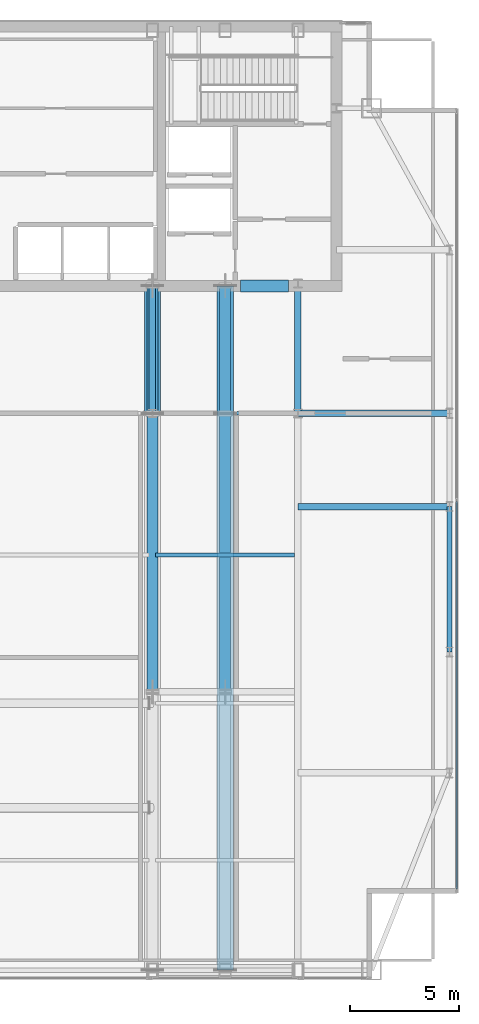
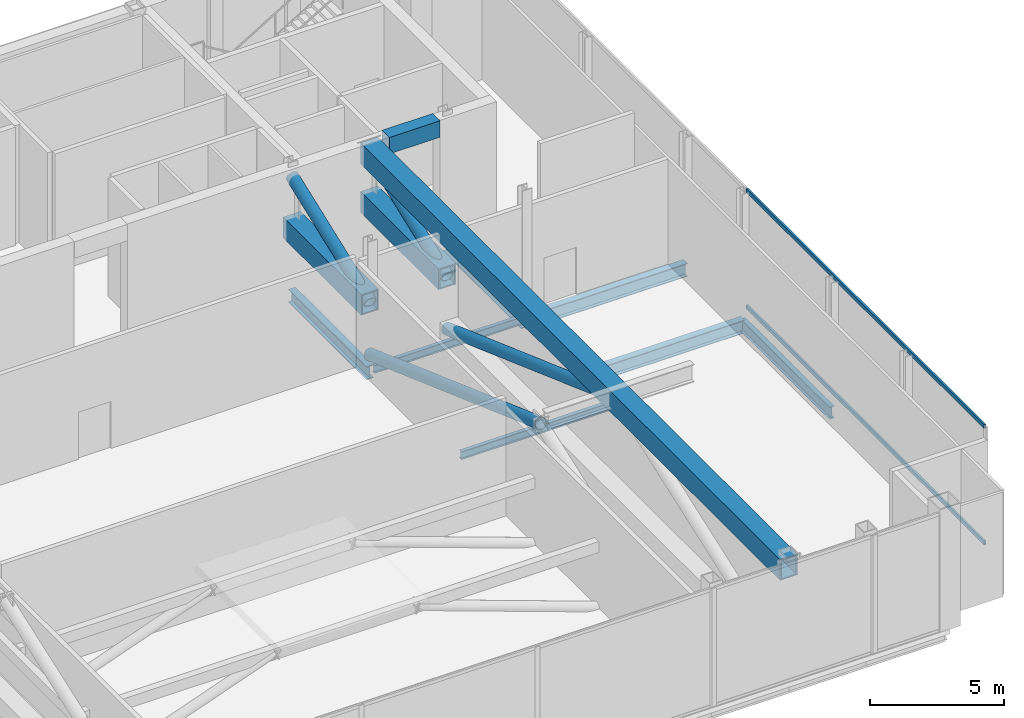
# One storey, part 16 of 26: 9 members, 8 beams, 1 element without a shape of its own.
"""IFC4 building model written with IfcOpenShell, lengths in metres."""

from ifc_helpers import new_model, si_unit, direction, frame, origin, origin_2d, place, context, subcontext, project, spatial, rectangle, hollow_rectangle, hollow_circle, i_section, extrude, material, material_profile, profile_set, type_object, element, aggregate, save


model = new_model("IFC4")

# Units and contexts
model_context = context("Model", 3, precision=1e-05, world=origin(), true_north=direction((0.0, 1.0)))
body_context = subcontext(model_context, "Body", "Model", "MODEL_VIEW")
ifc_project = project(units=[si_unit("LENGTHUNIT", "METRE"), si_unit("AREAUNIT", "SQUARE_METRE"), si_unit("VOLUMEUNIT", "CUBIC_METRE"), si_unit("PLANEANGLEUNIT", "RADIAN"), si_unit("MASSUNIT", "GRAM", prefix="KILO")], contexts=[model_context])

# Site, building, storey
site_placement = place(None, origin())
site = spatial("IfcSite", under=ifc_project, at=site_placement, CompositionType="ELEMENT")
building_placement = place(site_placement, origin())
building = spatial("IfcBuilding", under=site, at=building_placement, Name="Khoronbel Lancet Exchange", CompositionType="ELEMENT")
storey_placement = place(building_placement, frame((0.0, 0.0, 350.60009765625)))
storey = spatial("IfcBuildingStorey", under=building, at=storey_placement, Name="L91", CompositionType="ELEMENT", Elevation=350.60009765625)

# Beams
ifc_material_1 = material(Name="Steel S355", Category="steel")
ifc_material_profile_1 = material_profile(ifc_material_1, i_section(OverallWidth=0.300048828125, OverallDepth=0.60009765625, WebThickness=0.015380859375, FlangeThickness=0.030029296875, at=origin_2d()), Name="HEB 600")
ifc_profile_set_1 = profile_set([ifc_material_profile_1], Name="Steel S355")
beam_type_1 = type_object("IfcBeamType", Name="BM-BG5", PredefinedType="BEAM", material=ifc_profile_set_1)
for number, where, z_axis, x_axis, name in (
    (1, (48.0, 35.699951171875, -0.52001953125), (0.0, 1.0, 0.0), (-1.0, 0.0, 0.0), "Level L91 spine tie girder GN5"),
    (2, (54.675048828125, 35.699951171875, -0.52001953125), (0.0, 1.0, 0.0), (-1.0, 0.0, 0.0), "Level L91 spine tie girder GN6"),
):
    element("IfcBeam", number, at=place(storey_placement, frame(where, z_axis=z_axis, x_axis=x_axis)), inside=storey, type_object=beam_type_1, Name=name, PredefinedType="BEAM", context=body_context, shape_type="SweptSolid", body=[
        extrude(i_section(OverallWidth=0.300048828125, OverallDepth=0.60009765625, WebThickness=0.015380859375, FlangeThickness=0.030029296875, at=origin_2d()), origin(), (0.0, 0.0, 1.0), 5.85009765625),
    ])
for number, where, z_axis, x_axis, name in (
    (3, (54.675048828125, 31.425048828125, -0.52001953125), (1.0, 0.0, 0.0), (0.0, 1.0, 0.0), "Level L91 east lens tie girder LG2E"),
    (4, (54.675048828125, 35.699951171875, -0.52001953125), (1.0, 0.0, 0.0), (0.0, 1.0, 0.0), "Level L91 east lens tie girder LG4E"),
):
    element("IfcBeam", number, at=place(storey_placement, frame(where, z_axis=z_axis, x_axis=x_axis)), inside=storey, type_object=beam_type_1, Name=name, PredefinedType="BEAM", context=body_context, shape_type="SweptSolid", body=[
        extrude(i_section(OverallWidth=0.300048828125, OverallDepth=0.60009765625, WebThickness=0.015380859375, FlangeThickness=0.030029296875, at=origin_2d()), origin(), (0.0, 0.0, 1.0), 6.954833984375),
    ])
ifc_material_profile_2 = material_profile(ifc_material_1, i_section(OverallWidth=0.169921875, OverallDepth=0.360107421875, WebThickness=0.008056640625, FlangeThickness=0.0126953125, at=origin_2d()), Name="IPE 360")
ifc_profile_set_2 = profile_set([ifc_material_profile_2], Name="Steel S355")
beam_type_2 = type_object("IfcBeamType", Name="BM-BJ6", PredefinedType="JOIST", material=ifc_profile_set_2)
for number, where, z_axis, x_axis, name in (
    (5, (48.14990234375, 29.199951171875, -0.400146484375), (1.0, 0.0, 0.0), (0.0, 1.0, 0.0), "Level L91 secondary composite joist J09"),
    (6, (48.14990234375, 35.699951171875, -0.400146484375), (1.0, 0.0, 0.0), (0.0, 1.0, 0.0), "Level L91 secondary composite joist J12"),
):
    element("IfcBeam", number, at=place(storey_placement, frame(where, z_axis=z_axis, x_axis=x_axis)), inside=storey, type_object=beam_type_2, Name=name, PredefinedType="JOIST", context=body_context, shape_type="SweptSolid", body=[
        extrude(i_section(OverallWidth=0.169921875, OverallDepth=0.360107421875, WebThickness=0.008056640625, FlangeThickness=0.0126953125, at=origin_2d()), origin(), (0.0, 0.0, 1.0), 6.375),
    ])
ifc_material_2 = material(Name="Concrete C60/75", Category="concrete")
ifc_material_profile_3 = material_profile(ifc_material_2, rectangle(XDim=0.550048828125, YDim=0.75, at=origin_2d()), Name="RC 550x750")
ifc_profile_set_3 = profile_set([ifc_material_profile_3], Name="Concrete C60/75")
beam_type_3 = type_object("IfcBeamType", Name="BM-BL2", PredefinedType="LINTEL", material=ifc_profile_set_3)
beam_1_placement = place(storey_placement, frame((52.050048828125, 41.550048828125, 5.02490234375), z_axis=(1.0, 0.0, 0.0), x_axis=(0.0, 1.0, 0.0)))
element("IfcBeam", 7, at=beam_1_placement, inside=storey, type_object=beam_type_3, Name="Level L91 rear core coupling lintel L4", PredefinedType="LINTEL", context=body_context, shape_type="SweptSolid", body=[
    extrude(rectangle(XDim=0.550048828125, YDim=0.75, at=origin_2d()), origin(), (0.0, 0.0, 1.0), 2.199951171875),
])
ifc_material_profile_4 = material_profile(ifc_material_1, i_section(OverallWidth=0.2099609375, OverallDepth=0.550048828125, WebThickness=0.010986328125, FlangeThickness=0.01708984375, at=origin_2d()), Name="IPE 550")
ifc_profile_set_4 = profile_set([ifc_material_profile_4], Name="Steel S355")
beam_type_4 = type_object("IfcBeamType", Name="BM-BSP3", PredefinedType="SPANDREL", material=ifc_profile_set_4)
beam_2_placement = place(storey_placement, frame((61.6298828125, 24.75, -0.4951171875), z_axis=(0.0, 1.0, 0.0), x_axis=(-1.0, 0.0, 0.0)))
element("IfcBeam", 8, at=beam_2_placement, inside=storey, type_object=beam_type_4, Name="Level L91 perimeter spandrel beam SP10", PredefinedType="SPANDREL", context=body_context, shape_type="SweptSolid", body=[
    extrude(i_section(OverallWidth=0.2099609375, OverallDepth=0.550048828125, WebThickness=0.010986328125, FlangeThickness=0.01708984375, at=origin_2d()), origin(), (0.0, 0.0, 1.0), 6.675048828125),
])

# Curtain wall, members
ifc_material_3 = material(Name="Low-E Solar Control Insulating Glass", Category="glass")
curtain_wall_type = type_object("IfcCurtainWallType", Name="CW-6", PredefinedType="NOTDEFINED", material=ifc_material_3)
curtain_wall_placement = place(storey_placement, origin())
curtain_wall = element("IfcCurtainWall", 9, at=curtain_wall_placement, inside=storey, type_object=curtain_wall_type, Name="Unitised curtain wall CW-L91-E09", PredefinedType="NOTDEFINED")
ifc_material_4 = material(Name="Bronze-Anodised Aluminium 6063-T6", Category="aluminium")
ifc_material_profile_5 = material_profile(ifc_material_4, hollow_rectangle(XDim=0.0849609375, YDim=0.179931640625, WallThickness=0.0048828125, at=origin_2d()), Name="ALU TRANSOM 85x180")
ifc_profile_set_5 = profile_set([ifc_material_profile_5], Name="Bronze-Anodised Aluminium 6063-T6")
member_type_1 = type_object("IfcMemberType", Name="MEM-CWT1", PredefinedType="USERDEFINED", material=ifc_profile_set_5)
member_1_placement = place(storey_placement, frame((61.9599609375, 31.66259765625, 0.04248046875), z_axis=(0.0, -1.0, 0.0), x_axis=(1.0, 0.0, 0.0)))
member_1 = element("IfcMember", 10, at=member_1_placement, type_object=member_type_1, Name="CW6 transom 2.1", ObjectType="TRANSOM", PredefinedType="USERDEFINED", context=body_context, shape_type="SweptSolid", body=[
    extrude(hollow_rectangle(XDim=0.0849609375, YDim=0.179931640625, WallThickness=0.0048828125, at=origin_2d()), origin(), (0.0, 0.0, 1.0), 17.797607421875),
])
member_2_placement = place(storey_placement, frame((61.9599609375, 31.66259765625, 5.357421875), z_axis=(0.0, -1.0, 0.0), x_axis=(1.0, 0.0, 0.0)))
member_2 = element("IfcMember", 11, at=member_2_placement, type_object=member_type_1, Name="CW6 transom 2.2", ObjectType="TRANSOM", PredefinedType="USERDEFINED", context=body_context, shape_type="SweptSolid", body=[
    extrude(hollow_rectangle(XDim=0.0849609375, YDim=0.179931640625, WallThickness=0.0048828125, at=origin_2d()), origin(), (0.0, 0.0, 1.0), 17.797607421875),
])
aggregate(curtain_wall, [member_1, member_2])

# Members
ifc_material_5 = material(Name="Steel S460", Category="steel")
ifc_material_profile_6 = material_profile(ifc_material_5, hollow_circle(Radius=0.25390625, WallThickness=0.02490234375, at=origin_2d()), Name="CHS 508x25")
ifc_profile_set_6 = profile_set([ifc_material_profile_6], Name="Steel S460")
member_type_2 = type_object("IfcMemberType", Name="MEM-OBR2", PredefinedType="BRACE", material=ifc_profile_set_6)
member_3_placement = place(storey_placement, frame((48.0, 22.925048828125, 4.89990234375), z_axis=(0.0, 0.940860819869, -0.338793325841), x_axis=(-1.0, 0.0, 0.0)))
element("IfcMember", 12, at=member_3_placement, inside=storey, type_object=member_type_2, Name="Outrigger truss diagonal L91-3-2", PredefinedType="BRACE", context=body_context, shape_type="SweptSolid", body=[
    extrude(hollow_circle(Radius=0.25390625, WallThickness=0.02490234375, at=origin_2d()), origin(), (0.0, 0.0, 1.0), 13.577880859375),
])
member_4_placement = place(storey_placement, frame((48.0, 35.699951171875, 2.679931640625), z_axis=(0.0, 0.934946209251, 0.354789495064), x_axis=(-1.0, 0.0, 0.0)))
element("IfcMember", 13, at=member_4_placement, inside=storey, type_object=member_type_2, Name="Outrigger truss diagonal L91-3-3", PredefinedType="BRACE", context=body_context, shape_type="SweptSolid", body=[
    extrude(hollow_circle(Radius=0.25390625, WallThickness=0.02490234375, at=origin_2d()), origin(), (0.0, 0.0, 1.0), 6.257080078125),
])
member_5_placement = place(storey_placement, frame((51.33740234375, 22.925048828125, 4.89990234375), z_axis=(0.0, 0.940860819869, -0.338793325841), x_axis=(-1.0, 0.0, 0.0)))
element("IfcMember", 14, at=member_5_placement, inside=storey, type_object=member_type_2, Name="Outrigger truss diagonal L91-4-2", PredefinedType="BRACE", context=body_context, shape_type="SweptSolid", body=[
    extrude(hollow_circle(Radius=0.25390625, WallThickness=0.02490234375, at=origin_2d()), origin(), (0.0, 0.0, 1.0), 13.577880859375),
])
member_6_placement = place(storey_placement, frame((51.33740234375, 35.699951171875, 2.679931640625), z_axis=(0.0, 0.934946209251, 0.354789495064), x_axis=(-1.0, 0.0, 0.0)))
element("IfcMember", 15, at=member_6_placement, inside=storey, type_object=member_type_2, Name="Outrigger truss diagonal L91-4-3", PredefinedType="BRACE", context=body_context, shape_type="SweptSolid", body=[
    extrude(hollow_circle(Radius=0.25390625, WallThickness=0.02490234375, at=origin_2d()), origin(), (0.0, 0.0, 1.0), 6.257080078125),
])
ifc_material_profile_7 = material_profile(ifc_material_5, hollow_rectangle(XDim=0.75, YDim=0.949951171875, WallThickness=0.054931640625, at=origin_2d()), Name="BOX 950x750x55")
ifc_profile_set_7 = profile_set([ifc_material_profile_7], Name="Steel S460")
member_type_3 = type_object("IfcMemberType", Name="MEM-OCH2", PredefinedType="CHORD", material=ifc_profile_set_7)
for number, where, z_axis, x_axis, name in (
    (16, (48.0, 35.699951171875, 2.679931640625), (0.0, 1.0, 0.0), (-1.0, 0.0, 0.0), "Outrigger corridor portal tie chord L91-3-COR"),
    (17, (51.33740234375, 35.699951171875, 2.679931640625), (0.0, 1.0, 0.0), (-1.0, 0.0, 0.0), "Outrigger corridor portal tie chord L91-4-COR"),
):
    element("IfcMember", number, at=place(storey_placement, frame(where, z_axis=z_axis, x_axis=x_axis)), inside=storey, type_object=member_type_3, Name=name, PredefinedType="CHORD", context=body_context, shape_type="SweptSolid", body=[
        extrude(hollow_rectangle(XDim=0.75, YDim=0.949951171875, WallThickness=0.054931640625, at=origin_2d()), origin(), (0.0, 0.0, 1.0), 5.85009765625),
    ])
member_7_placement = place(storey_placement, frame((51.33740234375, 10.14990234375, 4.89990234375), z_axis=(0.0, 1.0, 0.0), x_axis=(-1.0, 0.0, 0.0)))
element("IfcMember", 18, at=member_7_placement, inside=storey, type_object=member_type_3, Name="Outrigger truss top chord L91-4-TOP", PredefinedType="CHORD", context=body_context, shape_type="SweptSolid", body=[
    extrude(hollow_rectangle(XDim=0.75, YDim=0.949951171875, WallThickness=0.054931640625, at=origin_2d()), origin(), (0.0, 0.0, 1.0), 31.400146484375),
])

save(model, "model.ifc")
